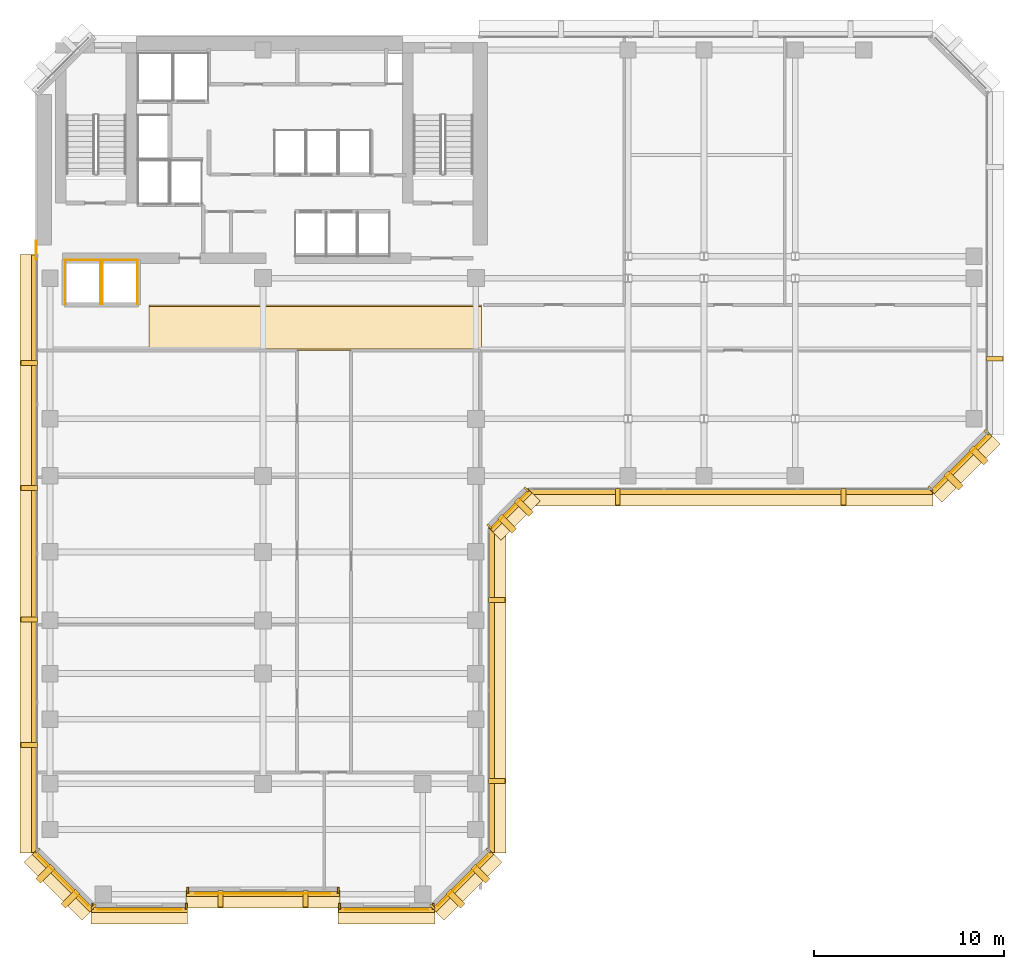
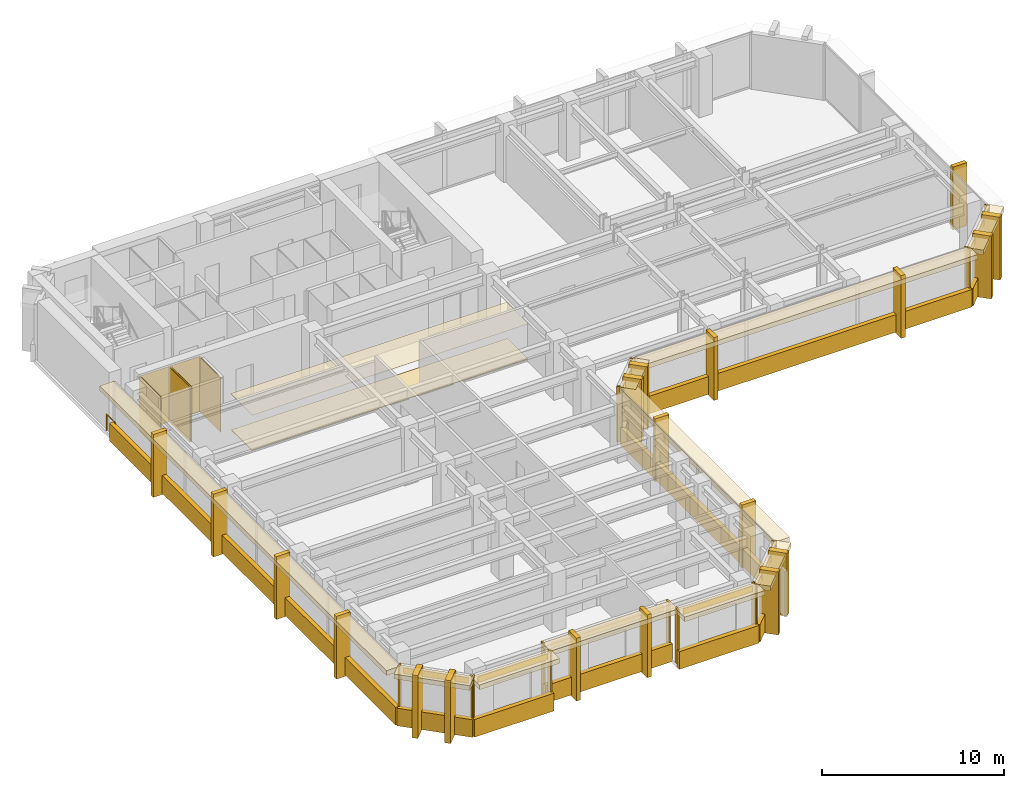
# One storey, part 9 of 11: 68 coverings, 1 railing.
"""IFC4 building model written with IfcOpenShell, lengths in metres."""

from ifc_helpers import new_model, si_unit, direction, frame, origin, origin_2d, place, context, subcontext, project, spatial, polyline, rectangle, circle, outline, extrude, material, layer, layer_set, type_object, element, save


model = new_model("IFC4")

# Units and contexts
model_context = context("Model", 3, precision=1e-05, world=origin(), true_north=direction((0.0, 1.0)))
body_context = subcontext(model_context, "Body", "Model", "MODEL_VIEW")
ifc_project = project(units=[si_unit("LENGTHUNIT", "METRE"), si_unit("AREAUNIT", "SQUARE_METRE"), si_unit("VOLUMEUNIT", "CUBIC_METRE"), si_unit("PLANEANGLEUNIT", "RADIAN"), si_unit("MASSUNIT", "GRAM", prefix="KILO")], contexts=[model_context])

# Site, building, storey
site_placement = place(None, origin())
site = spatial("IfcSite", under=ifc_project, at=site_placement, CompositionType="ELEMENT")
building_placement = place(site_placement, origin())
building = spatial("IfcBuilding", under=site, at=building_placement, Name="Kefirva Bronze Tower", CompositionType="ELEMENT")
storey_placement = place(building_placement, frame((0.0, 0.0, 162.68994140625)))
storey = spatial("IfcBuildingStorey", under=building, at=storey_placement, Name="L39", CompositionType="ELEMENT", Elevation=162.68994140625)

# Coverings
ifc_material_1 = material(Name="Acoustic mineral tile")
ifc_layer_1 = layer(ifc_material_1, 0.02490234375, Name="Acoustic mineral tile")
ifc_layer_set_1 = layer_set([ifc_layer_1], Name="Acoustic mineral tile")
covering_type_1 = type_object("IfcCoveringType", Name="Acoustic Mineral Suspended Ceiling 25mm", PredefinedType="CEILING", material=ifc_layer_set_1)
covering_1_placement = place(storey_placement, frame((0.0, 0.0, 2.400146484375)))
element("IfcCovering", 1, at=covering_1_placement, inside=storey, type_object=covering_type_1, Name="L39 Corridor Acoustic Ceiling", PredefinedType="CEILING", context=body_context, shape_type="SweptSolid", body=[
    extrude(outline(polyline([(6.0, 29.39990234375), (23.5, 29.39990234375), (23.5, 31.800048828125), (6.0, 31.800048828125), (6.0, 29.39990234375)])), origin(), (0.0, 0.0, 1.0), 0.02490234375),
])
ifc_material_2 = material(Name="Bronze anodised aluminium", Category="aluminium")
ifc_layer_2 = layer(ifc_material_2, 0.02001953125, Name="Bronze anodised aluminium")
ifc_layer_set_2 = layer_set([ifc_layer_2], Name="Bronze anodised aluminium")
covering_type_2 = type_object("IfcCoveringType", Name="Anodised Bronze Spandrel Cladding 20mm", PredefinedType="CLADDING", material=ifc_layer_set_2)
covering_2_placement = place(storey_placement, frame((5.5, -0.010009765625, 3.2900390625), z_axis=(0.0, 0.0, 1.0), x_axis=(1.0, 0.0, 0.0)))
element("IfcCovering", 2, at=covering_2_placement, inside=storey, type_object=covering_type_2, Name="L39 Bronze Spandrel Cladding 1", PredefinedType="CLADDING", context=body_context, shape_type="SweptSolid", body=[
    extrude(rectangle(XDim=4.40087890625, YDim=0.02001953125, at=origin_2d()), origin(), (0.0, 0.0, 1.0), 0.39990234375),
])
for number, where, z_axis, x_axis, name in (
    (3, (3.034912109375, 0.159912109375, 0.0), (0.0, 0.0, 1.0), (1.0, 0.0, 0.0), "L39 Facade Joint Closure Panel 1S"),
    (4, (7.965087890625, 0.159912109375, 0.0), (0.0, 0.0, 1.0), (1.0, 0.0, 0.0), "L39 Facade Joint Closure Panel 1E"),
):
    element("IfcCovering", number, at=place(storey_placement, frame(where, z_axis=z_axis, x_axis=x_axis)), inside=storey, type_object=covering_type_2, Name=name, PredefinedType="CLADDING", context=body_context, shape_type="SweptSolid", body=[
        extrude(rectangle(XDim=0.10009765625, YDim=0.320068359375, at=origin_2d()), origin(), (0.0, 0.0, 1.0), 3.7099609375),
    ])
covering_3_placement = place(storey_placement, frame((5.5, -0.0400390625, -0.15966796875), z_axis=(0.0, 0.0, 1.0), x_axis=(1.0, 0.0, 0.0)))
element("IfcCovering", 5, at=covering_3_placement, inside=storey, type_object=covering_type_2, Name="L39 Streamline Horizontal Spandrel Band 0", PredefinedType="CLADDING", context=body_context, shape_type="SweptSolid", body=[
    extrude(rectangle(XDim=5.0400390625, YDim=0.280029296875, at=origin_2d()), origin(), (0.0, 0.0, 1.0), 1.179931640625),
])
covering_4_placement = place(storey_placement, frame((12.0, 0.840087890625, 3.2900390625), z_axis=(0.0, 0.0, 1.0), x_axis=(1.0, 0.0, 0.0)))
element("IfcCovering", 6, at=covering_4_placement, inside=storey, type_object=covering_type_2, Name="L39 Bronze Spandrel Cladding 2", PredefinedType="CLADDING", context=body_context, shape_type="SweptSolid", body=[
    extrude(rectangle(XDim=7.10107421875, YDim=0.02001953125, at=origin_2d()), origin(), (0.0, 0.0, 1.0), 0.39990234375),
])
for number, where, z_axis, x_axis, name in (
    (7, (8.034912109375, 1.010009765625, 0.0), (0.0, 0.0, 1.0), (1.0, 0.0, 0.0), "L39 Facade Joint Closure Panel 2S"),
    (8, (15.965087890625, 1.010009765625, 0.0), (0.0, 0.0, 1.0), (1.0, 0.0, 0.0), "L39 Facade Joint Closure Panel 2E"),
):
    element("IfcCovering", number, at=place(storey_placement, frame(where, z_axis=z_axis, x_axis=x_axis)), inside=storey, type_object=covering_type_2, Name=name, PredefinedType="CLADDING", context=body_context, shape_type="SweptSolid", body=[
        extrude(rectangle(XDim=0.10009765625, YDim=0.320068359375, at=origin_2d()), origin(), (0.0, 0.0, 1.0), 3.7099609375),
    ])
covering_5_placement = place(storey_placement, frame((12.0, 0.81005859375, -0.15966796875), z_axis=(0.0, 0.0, 1.0), x_axis=(1.0, 0.0, 0.0)))
element("IfcCovering", 9, at=covering_5_placement, inside=storey, type_object=covering_type_2, Name="L39 Streamline Horizontal Spandrel Band 2", PredefinedType="CLADDING", context=body_context, shape_type="SweptSolid", body=[
    extrude(rectangle(XDim=8.0400390625, YDim=0.280029296875, at=origin_2d()), origin(), (0.0, 0.0, 1.0), 1.179931640625),
])
covering_6_placement = place(storey_placement, frame((18.5, -0.010009765625, 3.2900390625), z_axis=(0.0, 0.0, 1.0), x_axis=(1.0, 0.0, 0.0)))
element("IfcCovering", 10, at=covering_6_placement, inside=storey, type_object=covering_type_2, Name="L39 Bronze Spandrel Cladding 3", PredefinedType="CLADDING", context=body_context, shape_type="SweptSolid", body=[
    extrude(rectangle(XDim=4.40087890625, YDim=0.02001953125, at=origin_2d()), origin(), (0.0, 0.0, 1.0), 0.39990234375),
])
for number, where, z_axis, x_axis, name in (
    (11, (16.034912109375, 0.159912109375, 0.0), (0.0, 0.0, 1.0), (1.0, 0.0, 0.0), "L39 Facade Joint Closure Panel 3S"),
    (12, (20.965087890625, 0.159912109375, 0.0), (0.0, 0.0, 1.0), (1.0, 0.0, 0.0), "L39 Facade Joint Closure Panel 3E"),
):
    element("IfcCovering", number, at=place(storey_placement, frame(where, z_axis=z_axis, x_axis=x_axis)), inside=storey, type_object=covering_type_2, Name=name, PredefinedType="CLADDING", context=body_context, shape_type="SweptSolid", body=[
        extrude(rectangle(XDim=0.10009765625, YDim=0.320068359375, at=origin_2d()), origin(), (0.0, 0.0, 1.0), 3.7099609375),
    ])
covering_7_placement = place(storey_placement, frame((18.5, -0.0400390625, -0.15966796875), z_axis=(0.0, 0.0, 1.0), x_axis=(1.0, 0.0, 0.0)))
element("IfcCovering", 13, at=covering_7_placement, inside=storey, type_object=covering_type_2, Name="L39 Streamline Horizontal Spandrel Band 4", PredefinedType="CLADDING", context=body_context, shape_type="SweptSolid", body=[
    extrude(rectangle(XDim=5.0400390625, YDim=0.280029296875, at=origin_2d()), origin(), (0.0, 0.0, 1.0), 1.179931640625),
])
covering_8_placement = place(storey_placement, frame((22.507080078125, 1.492919921875, 3.2900390625), z_axis=(0.0, 0.0, 1.0), x_axis=(0.707106781187, 0.707106781187, 0.0)))
element("IfcCovering", 14, at=covering_8_placement, inside=storey, type_object=covering_type_2, Name="L39 Bronze Spandrel Cladding 4", PredefinedType="CLADDING", context=body_context, shape_type="SweptSolid", body=[
    extrude(rectangle(XDim=3.719482421875, YDim=0.02001953125, at=origin_2d()), origin(), (0.0, 0.0, 1.0), 0.39990234375),
])
for number, where, z_axis, x_axis, name in (
    (15, (20.91162109375, 0.137939453125, 0.0), (0.0, 0.0, 1.0), (0.707106781187, 0.707106781187, 0.0), "L39 Facade Joint Closure Panel 4S"),
    (16, (23.862060546875, 3.08837890625, 0.0), (0.0, 0.0, 1.0), (0.707106781187, 0.707106781187, 0.0), "L39 Facade Joint Closure Panel 4E"),
):
    element("IfcCovering", number, at=place(storey_placement, frame(where, z_axis=z_axis, x_axis=x_axis)), inside=storey, type_object=covering_type_2, Name=name, PredefinedType="CLADDING", context=body_context, shape_type="SweptSolid", body=[
        extrude(rectangle(XDim=0.10009765625, YDim=0.320068359375, at=origin_2d()), origin(), (0.0, 0.0, 1.0), 3.7099609375),
    ])
covering_9_placement = place(storey_placement, frame((22.5283203125, 1.4716796875, -0.15966796875), z_axis=(0.0, 0.0, 1.0), x_axis=(0.707106781187, 0.707106781187, 0.0)))
element("IfcCovering", 17, at=covering_9_placement, inside=storey, type_object=covering_type_2, Name="L39 Streamline Horizontal Spandrel Band 5", PredefinedType="CLADDING", context=body_context, shape_type="SweptSolid", body=[
    extrude(rectangle(XDim=4.28271484375, YDim=0.280029296875, at=origin_2d()), origin(), (0.0, 0.0, 1.0), 1.179931640625),
])
covering_10_placement = place(storey_placement, frame((24.0400390625, 11.5, -0.15966796875), z_axis=(0.0, 0.0, 1.0), x_axis=(0.0, 1.0, 0.0)))
element("IfcCovering", 18, at=covering_10_placement, inside=storey, type_object=covering_type_2, Name="L39 Streamline Horizontal Spandrel Band 6", PredefinedType="CLADDING", context=body_context, shape_type="SweptSolid", body=[
    extrude(rectangle(XDim=17.0400390625, YDim=0.280029296875, at=origin_2d()), origin(), (0.0, 0.0, 1.0), 1.179931640625),
])
covering_11_placement = place(storey_placement, frame((25.007080078125, 20.992919921875, 3.2900390625), z_axis=(0.0, 0.0, 1.0), x_axis=(0.707106781187, 0.707106781187, 0.0)))
element("IfcCovering", 19, at=covering_11_placement, inside=storey, type_object=covering_type_2, Name="L39 Bronze Spandrel Cladding 5", PredefinedType="CLADDING", context=body_context, shape_type="SweptSolid", body=[
    extrude(rectangle(XDim=2.446533203125, YDim=0.02001953125, at=origin_2d()), origin(), (0.0, 0.0, 1.0), 0.39990234375),
])
for number, where, z_axis, x_axis, name in (
    (20, (23.91162109375, 20.137939453125, 0.0), (0.0, 0.0, 1.0), (0.707106781187, 0.707106781187, 0.0), "L39 Facade Joint Closure Panel 5S"),
    (21, (25.862060546875, 22.08837890625, 0.0), (0.0, 0.0, 1.0), (0.707106781187, 0.707106781187, 0.0), "L39 Facade Joint Closure Panel 5E"),
):
    element("IfcCovering", number, at=place(storey_placement, frame(where, z_axis=z_axis, x_axis=x_axis)), inside=storey, type_object=covering_type_2, Name=name, PredefinedType="CLADDING", context=body_context, shape_type="SweptSolid", body=[
        extrude(rectangle(XDim=0.10009765625, YDim=0.320068359375, at=origin_2d()), origin(), (0.0, 0.0, 1.0), 3.7099609375),
    ])
covering_12_placement = place(storey_placement, frame((25.0283203125, 20.9716796875, -0.15966796875), z_axis=(0.0, 0.0, 1.0), x_axis=(0.707106781187, 0.707106781187, 0.0)))
element("IfcCovering", 22, at=covering_12_placement, inside=storey, type_object=covering_type_2, Name="L39 Streamline Horizontal Spandrel Band 7", PredefinedType="CLADDING", context=body_context, shape_type="SweptSolid", body=[
    extrude(rectangle(XDim=2.868408203125, YDim=0.280029296875, at=origin_2d()), origin(), (0.0, 0.0, 1.0), 1.179931640625),
])
covering_13_placement = place(storey_placement, frame((36.60009765625, 21.9599609375, -0.15966796875), z_axis=(0.0, 0.0, 1.0), x_axis=(1.0, 0.0, 0.0)))
element("IfcCovering", 23, at=covering_13_placement, inside=storey, type_object=covering_type_2, Name="L39 Streamline Horizontal Spandrel Band 8", PredefinedType="CLADDING", context=body_context, shape_type="SweptSolid", body=[
    extrude(rectangle(XDim=21.239990234375, YDim=0.280029296875, at=origin_2d()), origin(), (0.0, 0.0, 1.0), 1.179931640625),
])
covering_14_placement = place(storey_placement, frame((48.70703125, 23.492919921875, 3.2900390625), z_axis=(0.0, 0.0, 1.0), x_axis=(0.707106781187, 0.707106781187, 0.0)))
element("IfcCovering", 24, at=covering_14_placement, inside=storey, type_object=covering_type_2, Name="L39 Bronze Spandrel Cladding 6", PredefinedType="CLADDING", context=body_context, shape_type="SweptSolid", body=[
    extrude(rectangle(XDim=3.719482421875, YDim=0.02001953125, at=origin_2d()), origin(), (0.0, 0.0, 1.0), 0.39990234375),
])
for number, where, z_axis, x_axis, name in (
    (25, (47.11181640625, 22.137939453125, 0.0), (0.0, 0.0, 1.0), (0.707106781187, 0.707106781187, 0.0), "L39 Facade Joint Closure Panel 6S"),
    (26, (50.06201171875, 25.08837890625, 0.0), (0.0, 0.0, 1.0), (0.707106781187, 0.707106781187, 0.0), "L39 Facade Joint Closure Panel 6E"),
):
    element("IfcCovering", number, at=place(storey_placement, frame(where, z_axis=z_axis, x_axis=x_axis)), inside=storey, type_object=covering_type_2, Name=name, PredefinedType="CLADDING", context=body_context, shape_type="SweptSolid", body=[
        extrude(rectangle(XDim=0.10009765625, YDim=0.320068359375, at=origin_2d()), origin(), (0.0, 0.0, 1.0), 3.7099609375),
    ])
covering_15_placement = place(storey_placement, frame((48.728271484375, 23.4716796875, -0.15966796875), z_axis=(0.0, 0.0, 1.0), x_axis=(0.707106781187, 0.707106781187, 0.0)))
element("IfcCovering", 27, at=covering_15_placement, inside=storey, type_object=covering_type_2, Name="L39 Streamline Horizontal Spandrel Band 9", PredefinedType="CLADDING", context=body_context, shape_type="SweptSolid", body=[
    extrude(rectangle(XDim=4.28271484375, YDim=0.280029296875, at=origin_2d()), origin(), (0.0, 0.0, 1.0), 1.179931640625),
])
covering_16_placement = place(storey_placement, frame((-0.0400390625, 18.697509765625, -0.15966796875), z_axis=(0.0, 0.0, 1.0), x_axis=(0.0, -1.0, 0.0)))
element("IfcCovering", 28, at=covering_16_placement, inside=storey, type_object=covering_type_2, Name="L39 Streamline Horizontal Spandrel Band 14", PredefinedType="CLADDING", context=body_context, shape_type="SweptSolid", body=[
    extrude(rectangle(XDim=31.43505859375, YDim=0.280029296875, at=origin_2d()), origin(), (0.0, 0.0, 1.0), 1.179931640625),
])
covering_17_placement = place(storey_placement, frame((1.492919921875, 1.492919921875, 3.2900390625), z_axis=(0.0, 0.0, 1.0), x_axis=(0.707106781187, -0.707106781187, 0.0)))
element("IfcCovering", 29, at=covering_17_placement, inside=storey, type_object=covering_type_2, Name="L39 Bronze Spandrel Cladding 9", PredefinedType="CLADDING", context=body_context, shape_type="SweptSolid", body=[
    extrude(rectangle(XDim=3.719482421875, YDim=0.02001953125, at=origin_2d()), origin(), (0.0, 0.0, 1.0), 0.39990234375),
])
for number, where, z_axis, x_axis, name in (
    (30, (0.137939453125, 3.08837890625, 0.0), (0.0, 0.0, 1.0), (0.707106781187, -0.707106781187, 0.0), "L39 Facade Joint Closure Panel 9S"),
    (31, (3.08837890625, 0.137939453125, 0.0), (0.0, 0.0, 1.0), (0.707106781187, -0.707106781187, 0.0), "L39 Facade Joint Closure Panel 9E"),
):
    element("IfcCovering", number, at=place(storey_placement, frame(where, z_axis=z_axis, x_axis=x_axis)), inside=storey, type_object=covering_type_2, Name=name, PredefinedType="CLADDING", context=body_context, shape_type="SweptSolid", body=[
        extrude(rectangle(XDim=0.10009765625, YDim=0.320068359375, at=origin_2d()), origin(), (0.0, 0.0, 1.0), 3.7099609375),
    ])
covering_18_placement = place(storey_placement, frame((1.4716796875, 1.4716796875, -0.15966796875), z_axis=(0.0, 0.0, 1.0), x_axis=(0.707106781187, -0.707106781187, 0.0)))
element("IfcCovering", 32, at=covering_18_placement, inside=storey, type_object=covering_type_2, Name="L39 Streamline Horizontal Spandrel Band 15", PredefinedType="CLADDING", context=body_context, shape_type="SweptSolid", body=[
    extrude(rectangle(XDim=4.28271484375, YDim=0.280029296875, at=origin_2d()), origin(), (0.0, 0.0, 1.0), 1.179931640625),
])
covering_19_placement = place(storey_placement, origin())
element("IfcCovering", 33, at=covering_19_placement, inside=storey, type_object=covering_type_2, Name="L39 Lift OB1 Hoistway Liner N", PredefinedType="CLADDING", context=body_context, shape_type="SweptSolid", body=[
    extrude(outline(polyline([(1.580078125, 34.139892578125), (3.469970703125, 34.139892578125), (3.469970703125, 34.159912109375), (1.580078125, 34.159912109375), (1.580078125, 34.139892578125)])), origin(), (0.0, 0.0, 1.0), 3.7099609375),
])
covering_20_placement = place(storey_placement, origin())
element("IfcCovering", 34, at=covering_20_placement, inside=storey, type_object=covering_type_2, Name="L39 Lift OB1 Hoistway Liner W", PredefinedType="CLADDING", context=body_context, shape_type="SweptSolid", body=[
    extrude(outline(polyline([(1.590087890625, 31.830078125), (1.610107421875, 31.830078125), (1.610107421875, 34.169921875), (1.590087890625, 34.169921875), (1.590087890625, 31.830078125)])), origin(), (0.0, 0.0, 1.0), 3.7099609375),
])
covering_21_placement = place(storey_placement, origin())
element("IfcCovering", 35, at=covering_21_placement, inside=storey, type_object=covering_type_2, Name="L39 Lift OB1 Hoistway Liner E", PredefinedType="CLADDING", context=body_context, shape_type="SweptSolid", body=[
    extrude(outline(polyline([(3.43994140625, 31.830078125), (3.4599609375, 31.830078125), (3.4599609375, 34.169921875), (3.43994140625, 34.169921875), (3.43994140625, 31.830078125)])), origin(), (0.0, 0.0, 1.0), 3.7099609375),
])
covering_22_placement = place(storey_placement, origin())
element("IfcCovering", 36, at=covering_22_placement, inside=storey, type_object=covering_type_2, Name="L39 Lift OB2 Hoistway Liner N", PredefinedType="CLADDING", context=body_context, shape_type="SweptSolid", body=[
    extrude(outline(polyline([(3.530029296875, 34.139892578125), (5.419921875, 34.139892578125), (5.419921875, 34.159912109375), (3.530029296875, 34.159912109375), (3.530029296875, 34.139892578125)])), origin(), (0.0, 0.0, 1.0), 3.7099609375),
])
covering_23_placement = place(storey_placement, origin())
element("IfcCovering", 37, at=covering_23_placement, inside=storey, type_object=covering_type_2, Name="L39 Lift OB2 Hoistway Liner W", PredefinedType="CLADDING", context=body_context, shape_type="SweptSolid", body=[
    extrude(outline(polyline([(3.5400390625, 31.830078125), (3.56005859375, 31.830078125), (3.56005859375, 34.169921875), (3.5400390625, 34.169921875), (3.5400390625, 31.830078125)])), origin(), (0.0, 0.0, 1.0), 3.7099609375),
])
covering_24_placement = place(storey_placement, origin())
element("IfcCovering", 38, at=covering_24_placement, inside=storey, type_object=covering_type_2, Name="L39 Lift OB2 Hoistway Liner E", PredefinedType="CLADDING", context=body_context, shape_type="SweptSolid", body=[
    extrude(outline(polyline([(5.389892578125, 31.830078125), (5.409912109375, 31.830078125), (5.409912109375, 34.169921875), (5.389892578125, 34.169921875), (5.389892578125, 31.830078125)])), origin(), (0.0, 0.0, 1.0), 3.7099609375),
])

# Railing
ifc_material_3 = material(Name="Stainless steel 316", Category="steel")
railing_type = type_object("IfcRailingType", Name="Interior Stair Guardrail 1100mm", PredefinedType="GUARDRAIL", material=ifc_material_3)
railing_placement = place(storey_placement, frame((0.080078125, 34.199951171875, 0.0)))
element("IfcRailing", 39, at=railing_placement, inside=storey, type_object=railing_type, Name="L39 West Core Junction Guardrail", PredefinedType="GUARDRAIL", context=body_context, shape_type="SweptSolid", body=[
    extrude(circle(Radius=0.02392578125, at=origin_2d()), frame((0.0, 0.0, 1.076171875), z_axis=(0.0, 1.0, 0.0), x_axis=(-1.0, 0.0, 0.0)), (0.0, 0.0, 1.0), 0.949951171875),
    extrude(circle(Radius=0.02099609375, at=origin_2d()), origin(), (0.0, 0.0, 1.0), 1.052001953125),
    extrude(circle(Radius=0.02099609375, at=origin_2d()), frame((0.0, 0.949951171875, 0.0)), (0.0, 0.0, 1.0), 1.052001953125),
])

# Coverings
ifc_material_4 = material(Name="Calcium sulphate access tile")
ifc_layer_3 = layer(ifc_material_4, 0.044921875, Name="Calcium sulphate access tile")
ifc_layer_set_3 = layer_set([ifc_layer_3], Name="Calcium sulphate access tile")
covering_type_3 = type_object("IfcCoveringType", Name="Raised Access Office Flooring 45mm", PredefinedType="FLOORING", material=ifc_layer_set_3)
covering_25_placement = place(storey_placement, origin())
element("IfcCovering", 40, at=covering_25_placement, inside=storey, type_object=covering_type_3, Name="L39 Architectural Finish Flooring", PredefinedType="FLOORING", context=body_context, shape_type="SweptSolid", body=[
    extrude(outline(polyline([(6.0, 29.47998046875), (23.5, 29.47998046875), (23.5, 31.719970703125), (6.0, 31.719970703125), (6.0, 29.47998046875)])), origin(), (0.0, 0.0, 1.0), 0.045166015625),
])
ifc_layer_4 = layer(ifc_material_2, 0.179931640625, Name="Bronze anodised aluminium")
ifc_layer_set_4 = layer_set([ifc_layer_4], Name="Bronze anodised aluminium")
covering_type_4 = type_object("IfcCoveringType", Name="Streamline Bronze Sunshade Eyebrow Cladding 180mm", PredefinedType="CLADDING", material=ifc_layer_set_4)
covering_26_placement = place(storey_placement, frame((5.5, -0.31005859375, 3.39013671875), z_axis=(0.0, 0.0, 1.0), x_axis=(1.0, 0.0, 0.0)))
element("IfcCovering", 41, at=covering_26_placement, inside=storey, type_object=covering_type_4, Name="L39 Streamline Bronze Sunshade Eyebrow 0", PredefinedType="CLADDING", context=body_context, shape_type="SweptSolid", body=[
    extrude(rectangle(XDim=5.080078125, YDim=0.93994140625, at=origin_2d()), origin(), (0.0, 0.0, 1.0), 0.320068359375),
])
covering_27_placement = place(storey_placement, frame((12.0, 0.5400390625, 3.39013671875), z_axis=(0.0, 0.0, 1.0), x_axis=(1.0, 0.0, 0.0)))
element("IfcCovering", 42, at=covering_27_placement, inside=storey, type_object=covering_type_4, Name="L39 Streamline Bronze Sunshade Eyebrow 2", PredefinedType="CLADDING", context=body_context, shape_type="SweptSolid", body=[
    extrude(rectangle(XDim=8.080078125, YDim=0.93994140625, at=origin_2d()), origin(), (0.0, 0.0, 1.0), 0.320068359375),
])
covering_28_placement = place(storey_placement, frame((18.5, -0.31005859375, 3.39013671875), z_axis=(0.0, 0.0, 1.0), x_axis=(1.0, 0.0, 0.0)))
element("IfcCovering", 43, at=covering_28_placement, inside=storey, type_object=covering_type_4, Name="L39 Streamline Bronze Sunshade Eyebrow 4", PredefinedType="CLADDING", context=body_context, shape_type="SweptSolid", body=[
    extrude(rectangle(XDim=5.080078125, YDim=0.93994140625, at=origin_2d()), origin(), (0.0, 0.0, 1.0), 0.320068359375),
])
covering_29_placement = place(storey_placement, frame((22.71923828125, 1.28076171875, 3.39013671875), z_axis=(0.0, 0.0, 1.0), x_axis=(0.707106781187, 0.707106781187, 0.0)))
element("IfcCovering", 44, at=covering_29_placement, inside=storey, type_object=covering_type_4, Name="L39 Streamline Bronze Sunshade Eyebrow 5", PredefinedType="CLADDING", context=body_context, shape_type="SweptSolid", body=[
    extrude(rectangle(XDim=4.322509765625, YDim=0.93994140625, at=origin_2d()), origin(), (0.0, 0.0, 1.0), 0.320068359375),
])
covering_30_placement = place(storey_placement, frame((24.31005859375, 11.5, 3.39013671875), z_axis=(0.0, 0.0, 1.0), x_axis=(0.0, 1.0, 0.0)))
element("IfcCovering", 45, at=covering_30_placement, inside=storey, type_object=covering_type_4, Name="L39 Streamline Bronze Sunshade Eyebrow 6", PredefinedType="CLADDING", context=body_context, shape_type="SweptSolid", body=[
    extrude(rectangle(XDim=17.080078125, YDim=0.93994140625, at=origin_2d()), origin(), (0.0, 0.0, 1.0), 0.320068359375),
])
covering_31_placement = place(storey_placement, frame((25.21923828125, 20.78076171875, 3.39013671875), z_axis=(0.0, 0.0, 1.0), x_axis=(0.707106781187, 0.707106781187, 0.0)))
element("IfcCovering", 46, at=covering_31_placement, inside=storey, type_object=covering_type_4, Name="L39 Streamline Bronze Sunshade Eyebrow 7", PredefinedType="CLADDING", context=body_context, shape_type="SweptSolid", body=[
    extrude(rectangle(XDim=2.908447265625, YDim=0.93994140625, at=origin_2d()), origin(), (0.0, 0.0, 1.0), 0.320068359375),
])
covering_32_placement = place(storey_placement, frame((36.60009765625, 21.68994140625, 3.39013671875), z_axis=(0.0, 0.0, 1.0), x_axis=(1.0, 0.0, 0.0)))
element("IfcCovering", 47, at=covering_32_placement, inside=storey, type_object=covering_type_4, Name="L39 Streamline Bronze Sunshade Eyebrow 8", PredefinedType="CLADDING", context=body_context, shape_type="SweptSolid", body=[
    extrude(rectangle(XDim=21.280029296875, YDim=0.93994140625, at=origin_2d()), origin(), (0.0, 0.0, 1.0), 0.320068359375),
])
covering_33_placement = place(storey_placement, frame((48.919189453125, 23.28076171875, 3.39013671875), z_axis=(0.0, 0.0, 1.0), x_axis=(0.707106781187, 0.707106781187, 0.0)))
element("IfcCovering", 48, at=covering_33_placement, inside=storey, type_object=covering_type_4, Name="L39 Streamline Bronze Sunshade Eyebrow 9", PredefinedType="CLADDING", context=body_context, shape_type="SweptSolid", body=[
    extrude(rectangle(XDim=4.322509765625, YDim=0.93994140625, at=origin_2d()), origin(), (0.0, 0.0, 1.0), 0.320068359375),
])
covering_34_placement = place(storey_placement, frame((-0.31005859375, 18.697509765625, 3.39013671875), z_axis=(0.0, 0.0, 1.0), x_axis=(0.0, -1.0, 0.0)))
element("IfcCovering", 49, at=covering_34_placement, inside=storey, type_object=covering_type_4, Name="L39 Streamline Bronze Sunshade Eyebrow 14", PredefinedType="CLADDING", context=body_context, shape_type="SweptSolid", body=[
    extrude(rectangle(XDim=31.47509765625, YDim=0.93994140625, at=origin_2d()), origin(), (0.0, 0.0, 1.0), 0.320068359375),
])
covering_35_placement = place(storey_placement, frame((1.28076171875, 1.28076171875, 3.39013671875), z_axis=(0.0, 0.0, 1.0), x_axis=(0.707106781187, -0.707106781187, 0.0)))
element("IfcCovering", 50, at=covering_35_placement, inside=storey, type_object=covering_type_4, Name="L39 Streamline Bronze Sunshade Eyebrow 15", PredefinedType="CLADDING", context=body_context, shape_type="SweptSolid", body=[
    extrude(rectangle(XDim=4.322509765625, YDim=0.93994140625, at=origin_2d()), origin(), (0.0, 0.0, 1.0), 0.320068359375),
])
ifc_layer_5 = layer(ifc_material_2, 0.260009765625, Name="Bronze anodised aluminium")
ifc_layer_set_5 = layer_set([ifc_layer_5], Name="Bronze anodised aluminium")
covering_type_5 = type_object("IfcCoveringType", Name="Unbroken Bronze Buttress Fin Cladding 260mm", PredefinedType="CLADDING", material=ifc_layer_set_5)
for number, where, z_axis, x_axis, name in (
    (51, (9.760009765625, 0.550048828125, -0.25), (0.0, 0.0, 1.0), (1.0, 0.0, 0.0), "L39 Unbroken Vertical Bronze Rib Fin 1"),
    (52, (14.239990234375, 0.550048828125, -0.25), (0.0, 0.0, 1.0), (1.0, 0.0, 0.0), "L39 Unbroken Vertical Bronze Rib Fin 2"),
):
    element("IfcCovering", number, at=place(storey_placement, frame(where, z_axis=z_axis, x_axis=x_axis)), inside=storey, type_object=covering_type_5, Name=name, PredefinedType="CLADDING", context=body_context, shape_type="SweptSolid", body=[
        extrude(rectangle(XDim=0.260009765625, YDim=0.8798828125, at=origin_2d()), origin(), (0.0, 0.0, 1.0), 4.2099609375),
    ])
for number, where, z_axis, x_axis, name in (
    (53, (22.122802734375, 0.55712890625, -0.25), (0.0, 0.0, 1.0), (0.707106781187, 0.707106781187, 0.0), "L39 Chamfered Corner Buttress Fin Cladding 3"),
    (54, (23.44287109375, 1.877197265625, -0.25), (0.0, 0.0, 1.0), (0.707106781187, 0.707106781187, 0.0), "L39 Chamfered Corner Buttress Fin Cladding 4"),
):
    element("IfcCovering", number, at=place(storey_placement, frame(where, z_axis=z_axis, x_axis=x_axis)), inside=storey, type_object=covering_type_5, Name=name, PredefinedType="CLADDING", context=body_context, shape_type="SweptSolid", body=[
        extrude(rectangle(XDim=0.340087890625, YDim=1.080078125, at=origin_2d()), origin(), (0.0, 0.0, 1.0), 4.2099609375),
    ])
for number, where, z_axis, x_axis, name in (
    (55, (24.300048828125, 6.739990234375, -0.25), (0.0, 0.0, 1.0), (0.0, 1.0, 0.0), "L39 Unbroken Vertical Bronze Rib Fin 5"),
    (56, (24.300048828125, 16.260009765625, -0.25), (0.0, 0.0, 1.0), (0.0, 1.0, 0.0), "L39 Unbroken Vertical Bronze Rib Fin 6"),
):
    element("IfcCovering", number, at=place(storey_placement, frame(where, z_axis=z_axis, x_axis=x_axis)), inside=storey, type_object=covering_type_5, Name=name, PredefinedType="CLADDING", context=body_context, shape_type="SweptSolid", body=[
        extrude(rectangle(XDim=0.260009765625, YDim=0.8798828125, at=origin_2d()), origin(), (0.0, 0.0, 1.0), 4.2099609375),
    ])
for number, where, z_axis, x_axis, name in (
    (57, (24.8427734375, 20.277099609375, -0.25), (0.0, 0.0, 1.0), (0.707106781187, 0.707106781187, 0.0), "L39 Chamfered Corner Buttress Fin Cladding 7"),
    (58, (25.722900390625, 21.1572265625, -0.25), (0.0, 0.0, 1.0), (0.707106781187, 0.707106781187, 0.0), "L39 Chamfered Corner Buttress Fin Cladding 8"),
):
    element("IfcCovering", number, at=place(storey_placement, frame(where, z_axis=z_axis, x_axis=x_axis)), inside=storey, type_object=covering_type_5, Name=name, PredefinedType="CLADDING", context=body_context, shape_type="SweptSolid", body=[
        extrude(rectangle(XDim=0.340087890625, YDim=1.080078125, at=origin_2d()), origin(), (0.0, 0.0, 1.0), 4.2099609375),
    ])
for number, where, z_axis, x_axis, name in (
    (59, (30.6640625, 21.699951171875, -0.25), (0.0, 0.0, 1.0), (1.0, 0.0, 0.0), "L39 Unbroken Vertical Bronze Rib Fin 9"),
    (60, (42.535888671875, 21.699951171875, -0.25), (0.0, 0.0, 1.0), (1.0, 0.0, 0.0), "L39 Unbroken Vertical Bronze Rib Fin 10"),
):
    element("IfcCovering", number, at=place(storey_placement, frame(where, z_axis=z_axis, x_axis=x_axis)), inside=storey, type_object=covering_type_5, Name=name, PredefinedType="CLADDING", context=body_context, shape_type="SweptSolid", body=[
        extrude(rectangle(XDim=0.260009765625, YDim=0.8798828125, at=origin_2d()), origin(), (0.0, 0.0, 1.0), 4.2099609375),
    ])
for number, where, z_axis, x_axis, name in (
    (61, (48.32275390625, 22.55712890625, -0.25), (0.0, 0.0, 1.0), (0.707106781187, 0.707106781187, 0.0), "L39 Chamfered Corner Buttress Fin Cladding 11"),
    (62, (49.642822265625, 23.877197265625, -0.25), (0.0, 0.0, 1.0), (0.707106781187, 0.707106781187, 0.0), "L39 Chamfered Corner Buttress Fin Cladding 12"),
):
    element("IfcCovering", number, at=place(storey_placement, frame(where, z_axis=z_axis, x_axis=x_axis)), inside=storey, type_object=covering_type_5, Name=name, PredefinedType="CLADDING", context=body_context, shape_type="SweptSolid", body=[
        extrude(rectangle(XDim=0.340087890625, YDim=1.080078125, at=origin_2d()), origin(), (0.0, 0.0, 1.0), 4.2099609375),
    ])
for number, where, z_axis, x_axis, name in (
    (63, (50.5, 28.9599609375, -0.25), (0.0, 0.0, 1.0), (0.0, 1.0, 0.0), "L39 Unbroken Vertical Bronze Rib Fin 13"),
    (64, (-0.300048828125, 28.743896484375, -0.25), (0.0, 0.0, 1.0), (0.0, -1.0, 0.0), "L39 Unbroken Vertical Bronze Rib Fin 23"),
    (65, (-0.300048828125, 22.15087890625, -0.25), (0.0, 0.0, 1.0), (0.0, -1.0, 0.0), "L39 Unbroken Vertical Bronze Rib Fin 24"),
    (66, (-0.300048828125, 15.244140625, -0.25), (0.0, 0.0, 1.0), (0.0, -1.0, 0.0), "L39 Unbroken Vertical Bronze Rib Fin 25"),
    (67, (-0.300048828125, 8.651123046875, -0.25), (0.0, 0.0, 1.0), (0.0, -1.0, 0.0), "L39 Unbroken Vertical Bronze Rib Fin 26"),
):
    element("IfcCovering", number, at=place(storey_placement, frame(where, z_axis=z_axis, x_axis=x_axis)), inside=storey, type_object=covering_type_5, Name=name, PredefinedType="CLADDING", context=body_context, shape_type="SweptSolid", body=[
        extrude(rectangle(XDim=0.260009765625, YDim=0.8798828125, at=origin_2d()), origin(), (0.0, 0.0, 1.0), 4.2099609375),
    ])
for number, where, z_axis, x_axis, name in (
    (68, (0.55712890625, 1.877197265625, -0.25), (0.0, 0.0, 1.0), (0.707106781187, -0.707106781187, 0.0), "L39 Chamfered Corner Buttress Fin Cladding 27"),
    (69, (1.877197265625, 0.55712890625, -0.25), (0.0, 0.0, 1.0), (0.707106781187, -0.707106781187, 0.0), "L39 Chamfered Corner Buttress Fin Cladding 28"),
):
    element("IfcCovering", number, at=place(storey_placement, frame(where, z_axis=z_axis, x_axis=x_axis)), inside=storey, type_object=covering_type_5, Name=name, PredefinedType="CLADDING", context=body_context, shape_type="SweptSolid", body=[
        extrude(rectangle(XDim=0.340087890625, YDim=1.080078125, at=origin_2d()), origin(), (0.0, 0.0, 1.0), 4.2099609375),
    ])

save(model, "model.ifc")
